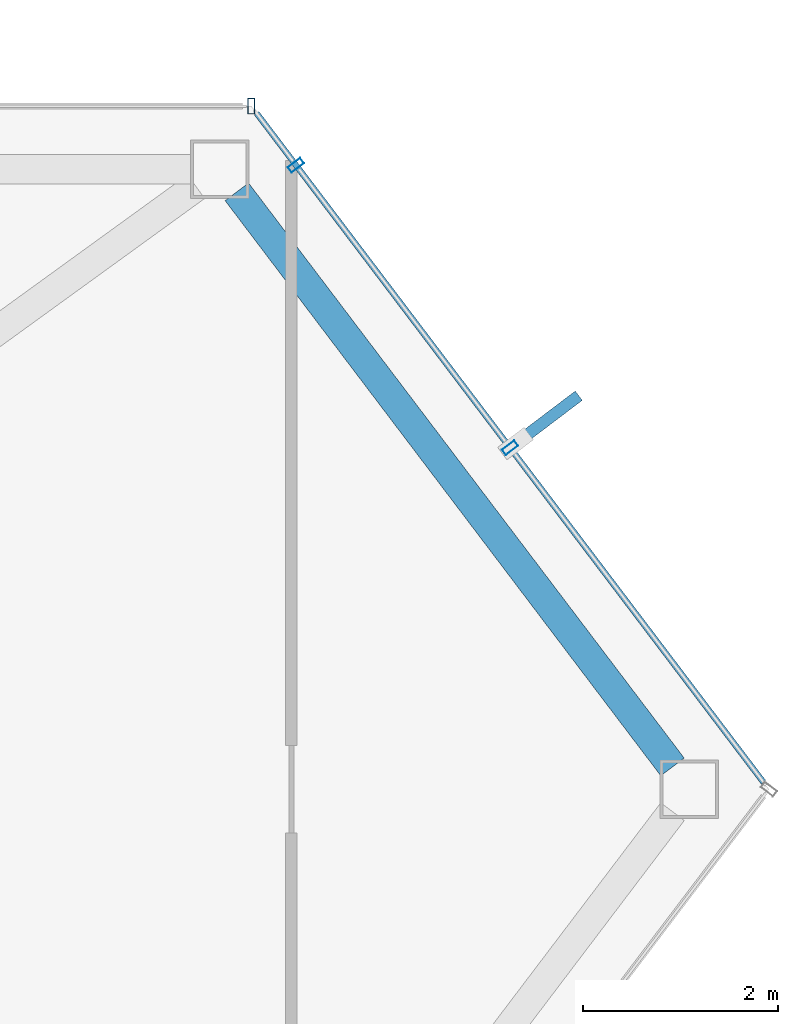
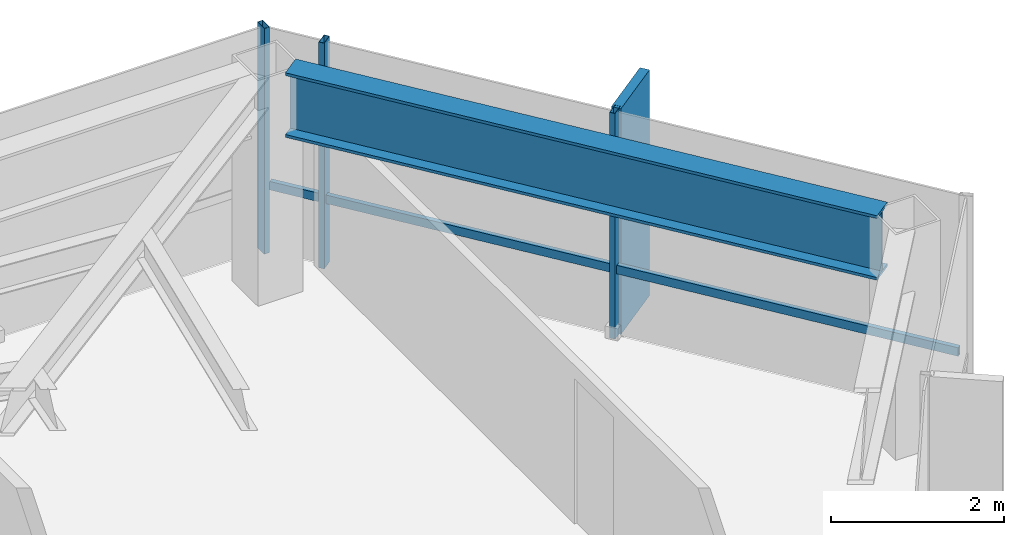
# One storey, part 23 of 28: 5 members, 1 beam, 2 elements without a shape of their own.
"""IFC4 building model written with IfcOpenShell, lengths in metres."""

from ifc_helpers import new_model, si_unit, direction, frame, origin, origin_2d, place, context, subcontext, project, spatial, rectangle, hollow_rectangle, i_section, extrude, material, layer, layer_set, material_profile, profile_set, type_object, element, aggregate, save


model = new_model("IFC4")

# Units and contexts
model_context = context("Model", 3, precision=1e-05, world=origin(), true_north=direction((0.0, 1.0)))
body_context = subcontext(model_context, "Body", "Model", "MODEL_VIEW")
ifc_project = project(units=[si_unit("LENGTHUNIT", "METRE"), si_unit("AREAUNIT", "SQUARE_METRE"), si_unit("VOLUMEUNIT", "CUBIC_METRE"), si_unit("PLANEANGLEUNIT", "RADIAN"), si_unit("MASSUNIT", "GRAM", prefix="KILO")], contexts=[model_context])

# Site, building, storey
site_placement = place(None, origin())
site = spatial("IfcSite", under=ifc_project, at=site_placement, CompositionType="ELEMENT")
building_placement = place(site_placement, origin())
building = spatial("IfcBuilding", under=site, at=building_placement, Name="Zarrinselat Tower", CompositionType="ELEMENT")
storey_placement = place(building_placement, frame((0.0, 0.0, 218.9599609375)))
storey = spatial("IfcBuildingStorey", under=building, at=storey_placement, Name="L54", CompositionType="ELEMENT", Elevation=218.9599609375)

# Beam
ifc_material_1 = material(Name="Steel S460M", Category="steel")
ifc_material_profile_1 = material_profile(ifc_material_1, i_section(OverallWidth=0.302001953125, OverallDepth=0.909912109375, WebThickness=0.02099609375, FlangeThickness=0.0400390625, at=origin_2d()), Name="HEM 900")
ifc_profile_set_1 = profile_set([ifc_material_profile_1], Name="Steel S460M")
beam_type = type_object("IfcBeamType", Name="BM-HEM900", PredefinedType="BEAM", material=ifc_profile_set_1)
beam_placement = place(storey_placement, frame((56.59033203125, 47.414794921875, 2.72509765625), z_axis=(0.6038557856, -0.797093589359, 0.0), x_axis=(0.797093589359, 0.6038557856, 0.0)))
element("IfcBeam", 1, at=beam_placement, inside=storey, type_object=beam_type, Name="L54 Perimeter Spandrel Girder SP15", PredefinedType="BEAM", context=body_context, shape_type="SweptSolid", body=[
    extrude(i_section(OverallWidth=0.302001953125, OverallDepth=0.909912109375, WebThickness=0.02099609375, FlangeThickness=0.0400390625, at=origin_2d()), origin(), (0.0, 0.0, 1.0), 7.41259765625),
])

# Curtain wall, member
ifc_material_2 = material(Name="Extruded Aluminium Alloy EN AW-6063 T6", Category="aluminium")
ifc_layer = layer(ifc_material_2, 0.169921875)
ifc_layer_set = layer_set([ifc_layer], Name="Extruded Aluminium Alloy EN AW-6063 T6")
curtain_wall_type = type_object("IfcCurtainWallType", Name="CWS-RES", PredefinedType="NOTDEFINED", material=ifc_layer_set)
curtain_wall_1_placement = place(storey_placement, origin())
curtain_wall_1 = element("IfcCurtainWall", 2, at=curtain_wall_1_placement, inside=storey, type_object=curtain_wall_type, Name="L54 Unitised Curtain Wall CW-L54-E01", PredefinedType="NOTDEFINED")
ifc_material_3 = material(Name="Extruded Aluminium Alloy EN AW-6063 T6", Category="aluminium")
ifc_material_profile_2 = material_profile(ifc_material_3, hollow_rectangle(XDim=0.070068359375, YDim=0.159912109375, WallThickness=0.00390625, at=origin_2d()), Name="RHS 160x70x4")
ifc_profile_set_2 = profile_set([ifc_material_profile_2], Name="Extruded Aluminium Alloy EN AW-6063 T6")
member_type_1 = type_object("IfcMemberType", Name="MEM-CW-MUL2", PredefinedType="MULLION", material=ifc_profile_set_2)
member_1_placement = place(storey_placement, frame((56.739501953125, 48.29443359375, 0.0), z_axis=(0.0, 0.0, 1.0), x_axis=(-1.0, 0.0, 0.0)))
member_1 = element("IfcMember", 3, at=member_1_placement, type_object=member_type_1, Name="CW-L54-E01 Mullion 0", PredefinedType="MULLION", context=body_context, shape_type="SweptSolid", body=[
    extrude(hollow_rectangle(XDim=0.070068359375, YDim=0.159912109375, WallThickness=0.00390625, at=origin_2d()), origin(), (0.0, 0.0, 1.0), 3.179931640625),
])
aggregate(curtain_wall_1, [member_1])

# Curtain wall, members
curtain_wall_2_placement = place(storey_placement, origin())
curtain_wall_2 = element("IfcCurtainWall", 4, at=curtain_wall_2_placement, inside=storey, type_object=curtain_wall_type, Name="L54 Unitised Curtain Wall CW-L54-E06", PredefinedType="NOTDEFINED")
member_2_placement = place(storey_placement, frame((59.397705078125, 44.78564453125, 0.0), z_axis=(0.0, 0.0, 1.0), x_axis=(-0.603860312232, 0.797090160089, 0.0)))
member_2 = element("IfcMember", 5, at=member_2_placement, type_object=member_type_1, Name="CW-L54-E06 Mullion 1", PredefinedType="MULLION", context=body_context, shape_type="SweptSolid", body=[
    extrude(hollow_rectangle(XDim=0.070068359375, YDim=0.159912109375, WallThickness=0.00390625, at=origin_2d()), origin(), (0.0, 0.0, 1.0), 3.179931640625),
])
member_3_placement = place(storey_placement, frame((57.1982421875, 47.688720703125, 0.0), z_axis=(0.0, 0.0, 1.0), x_axis=(-0.603860312232, 0.797090160089, 0.0)))
member_3 = element("IfcMember", 6, at=member_3_placement, type_object=member_type_1, Name="CW-L54-E06 Mullion 2", PredefinedType="MULLION", context=body_context, shape_type="SweptSolid", body=[
    extrude(hollow_rectangle(XDim=0.070068359375, YDim=0.159912109375, WallThickness=0.00390625, at=origin_2d()), origin(), (0.0, 0.0, 1.0), 3.179931640625),
])
ifc_material_4 = material(Name="Extruded Aluminium Alloy EN AW-6063 T6", Category="aluminium")
ifc_material_profile_3 = material_profile(ifc_material_4, hollow_rectangle(XDim=0.06005859375, YDim=0.1201171875, WallThickness=0.00390625, at=origin_2d()), Name="RHS 120x60x4")
ifc_profile_set_3 = profile_set([ifc_material_profile_3], Name="Extruded Aluminium Alloy EN AW-6063 T6")
member_type_2 = type_object("IfcMemberType", Name="MEM-CW-TRN2", PredefinedType="USERDEFINED", material=ifc_profile_set_3)
member_4_placement = place(storey_placement, frame((62.00146484375, 41.348388671875, 0.949951171875), z_axis=(-0.603856597922, 0.797092973966, 0.0), x_axis=(-0.797092973966, -0.603856597922, 0.0)))
member_4 = element("IfcMember", 7, at=member_4_placement, type_object=member_type_2, Name="CW-L54-E06 Transom 1", ObjectType="TRANSOM", PredefinedType="USERDEFINED", context=body_context, shape_type="SweptSolid", body=[
    extrude(hollow_rectangle(XDim=0.06005859375, YDim=0.1201171875, WallThickness=0.00390625, at=origin_2d()), origin(), (0.0, 0.0, 1.0), 8.624267578125),
])
ifc_material_5 = material(Name="Honed Cream Travertine Stone", Category="masonry")
ifc_material_profile_4 = material_profile(ifc_material_5, rectangle(XDim=0.1201171875, YDim=0.85009765625, at=origin_2d()), Name="FIN 850x120")
ifc_profile_set_4 = profile_set([ifc_material_profile_4], Name="Honed Cream Travertine Stone")
member_type_3 = type_object("IfcMemberType", Name="MEM-STONE-FIN", PredefinedType="USERDEFINED", material=ifc_profile_set_4)
member_5_placement = place(storey_placement, frame((59.764404296875, 45.0634765625, 0.0), z_axis=(0.0, 0.0, 1.0), x_axis=(0.603860312232, -0.797090160089, 0.0)))
member_5 = element("IfcMember", 8, at=member_5_placement, type_object=member_type_3, Name="L54 Stone Shading Fin CW-L54-E06-01", ObjectType="FIN", PredefinedType="USERDEFINED", context=body_context, shape_type="SweptSolid", body=[
    extrude(rectangle(XDim=0.1201171875, YDim=0.85009765625, at=origin_2d()), origin(), (0.0, 0.0, 1.0), 3.179931640625),
])
aggregate(curtain_wall_2, [member_2, member_5, member_3, member_4])

save(model, "model.ifc")
